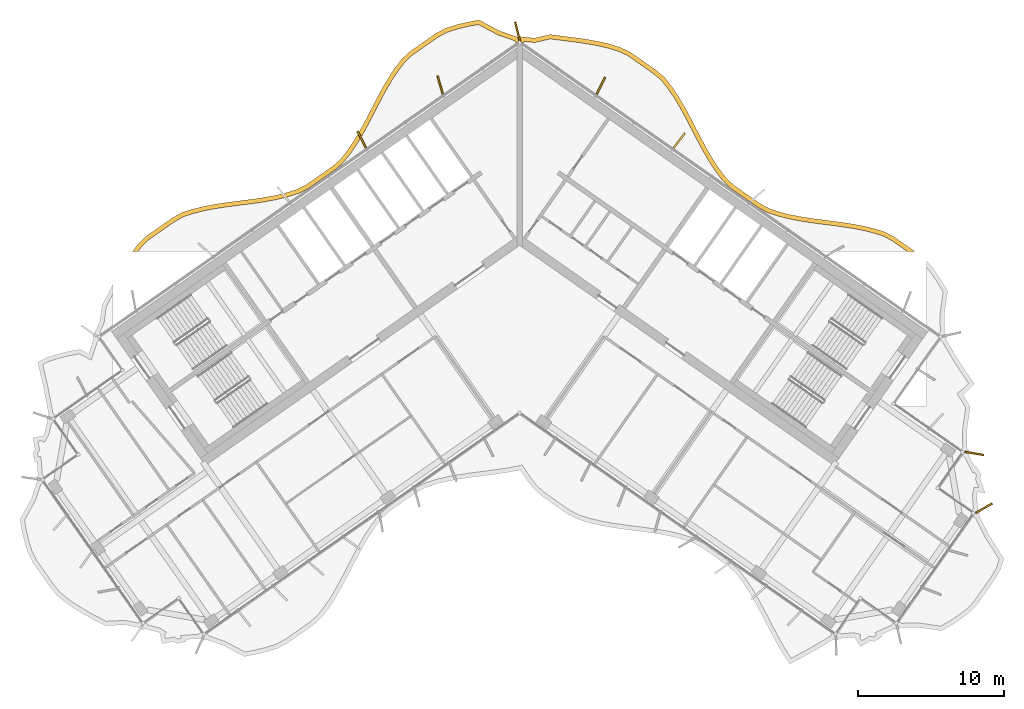
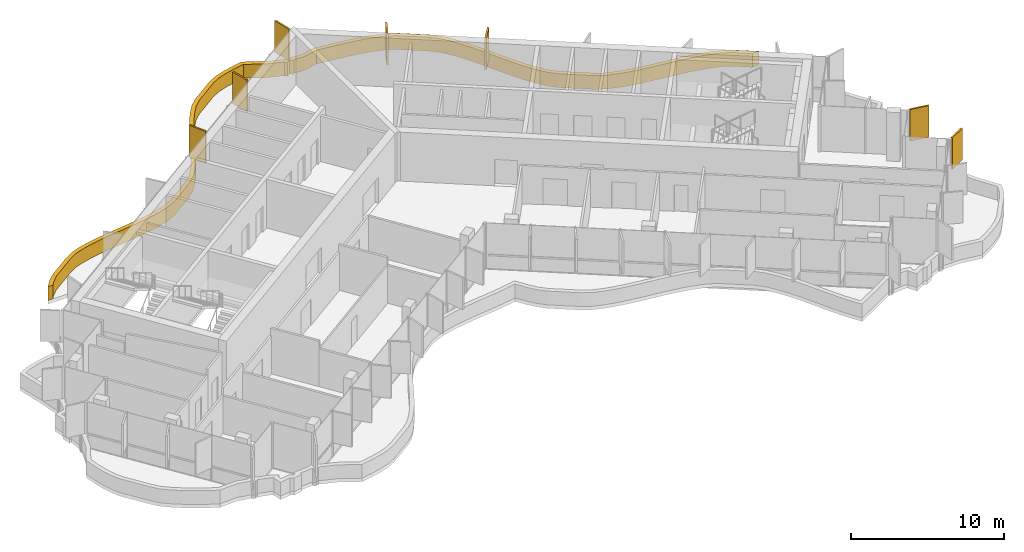
# One storey, part 18 of 18: 8 shading devices.
"""IFC4 building model written with IfcOpenShell, lengths in metres."""

from ifc_helpers import new_model, si_unit, direction, frame, origin, origin_2d, place, context, subcontext, project, spatial, polyline, rectangle, outline, extrude, material, layer, layer_set, type_object, element, save


model = new_model("IFC4")

# Units and contexts
model_context = context("Model", 3, precision=1e-05, world=origin(), true_north=direction((0.0, 1.0)))
body_context = subcontext(model_context, "Body", "Model", "MODEL_VIEW")
ifc_project = project(units=[si_unit("LENGTHUNIT", "METRE"), si_unit("AREAUNIT", "SQUARE_METRE"), si_unit("VOLUMEUNIT", "CUBIC_METRE"), si_unit("PLANEANGLEUNIT", "RADIAN"), si_unit("MASSUNIT", "GRAM", prefix="KILO")], contexts=[model_context])

# Site, building, storey
site_placement = place(None, origin())
site = spatial("IfcSite", under=ifc_project, at=site_placement, CompositionType="ELEMENT")
building_placement = place(site_placement, origin())
building = spatial("IfcBuilding", under=site, at=building_placement, Name="Tel Ilan Convention Tower", CompositionType="ELEMENT")
storey_placement = place(building_placement, frame((0.0, 0.0, 264.39990234375)))
storey = spatial("IfcBuildingStorey", under=building, at=storey_placement, Name="L62", CompositionType="ELEMENT", Elevation=264.39990234375)

# Shading devices
ifc_material_1 = material(Name="Aluminium, bronze anodised", Category="aluminium")
ifc_layer_1 = layer(ifc_material_1, 0.1201171875)
ifc_layer_set_1 = layer_set([ifc_layer_1], Name="FIN BRONZE 1300x120")
shading_device_type_1 = type_object("IfcShadingDeviceType", Name="FIN BRONZE 1300x120", PredefinedType="USERDEFINED", material=ifc_layer_set_1)
for number, where, z_axis, x_axis, name in (
    (1, (10.929931640625, 5.96044921875, 1.10009765625), (0.0, 0.0, 1.0), (0.612600545196, 0.790392669516, 0.0), "FIN"),
    (2, (5.561767578125, 9.718994140625, 1.10009765625), (0.0, 0.0, 1.0), (0.448799180206, 0.893632640321, 0.0), "FIN"),
    (3, (-0.156005859375, 13.463134765625, 1.10009765625), (0.0, 0.0, 1.0), (-0.240039791311, 0.970763049661, 0.0), "FIN"),
    (4, (-5.45068359375, 9.7734375, 1.10009765625), (0.0, 0.0, 1.0), (-0.268172612768, 0.963370878614, 0.0), "FIN"),
    (5, (-10.826904296875, 6.0322265625, 1.10009765625), (0.0, 0.0, 1.0), (-0.448799180206, 0.893632640321, 0.0), "FIN"),
    (6, (31.81982421875, -19.228271484375, 1.10009765625), (0.0, 0.0, 1.0), (0.870832754082, 0.491579408049, 0.0), "FIN"),
    (7, (31.158203125, -15.476318359375, 1.10009765625), (0.0, 0.0, 1.0), (0.986445172547, -0.16409119891, 0.0), "FIN"),
):
    element("IfcShadingDevice", number, at=place(storey_placement, frame(where, z_axis=z_axis, x_axis=x_axis)), inside=storey, type_object=shading_device_type_1, Name=name, ObjectType="FIN", PredefinedType="USERDEFINED", context=body_context, shape_type="SweptSolid", body=[
        extrude(rectangle(XDim=1.300048828125, YDim=0.1201171875, at=origin_2d()), origin(), (0.0, 0.0, 1.0), 2.52001953125),
    ])
ifc_material_2 = material(Name="Aluminium, bronze anodised", Category="aluminium")
ifc_layer_2 = layer(ifc_material_2, 0.300048828125)
ifc_layer_set_2 = layer_set([ifc_layer_2], Name="LOUVRE BAND 300x1100")
shading_device_type_2 = type_object("IfcShadingDeviceType", Name="LOUVRE BAND 300x1100", PredefinedType="USERDEFINED", material=ifc_layer_set_2)
shading_device_placement = place(storey_placement, origin())
element("IfcShadingDevice", 8, at=shading_device_placement, inside=storey, type_object=shading_device_type_2, Name="LOUVRE BAND 47.02", ObjectType="LOUVRE", PredefinedType="USERDEFINED", context=body_context, shape_type="SweptSolid", body=[
    extrude(outline(polyline([(-26.1787109375, -1.1572265625), (-26.535888671875, -1.631591796875), (-26.160400390625, -1.631591796875), (-25.951416015625, -1.35400390625), (-25.457275390625, -0.856689453125), (-23.680908203125, 0.38720703125), (-23.075439453125, 0.7314453125), (-22.38525390625, 0.962158203125), (-21.640625, 1.14990234375), (-20.86181640625, 1.298828125), (-20.0576171875, 1.420166015625), (-18.409423828125, 1.63232421875), (-17.585205078125, 1.750732421875), (-16.773193359375, 1.89599609375), (-15.982666015625, 2.081298828125), (-15.212646484375, 2.320556640625), (-14.499267578125, 2.665771484375), (-12.656005859375, 3.956298828125), (-12.066162109375, 4.474609375), (-11.566650390625, 5.110107421875), (-11.115234375, 5.78173828125), (-10.696044921875, 6.4892578125), (-10.29931640625, 7.220458984375), (-9.535400390625, 8.69873046875), (-9.148681640625, 9.41796875), (-8.746337890625, 10.106201171875), (-8.320556640625, 10.751220703125), (-7.871337890625, 11.33544921875), (-7.3623046875, 11.813720703125), (-5.585693359375, 13.0576171875), (-4.96826171875, 13.382568359375), (-4.27001953125, 13.607666015625), (-3.520751953125, 13.78955078125), (-2.834228515625, 13.914794921875), (-1.477294921875, 13.19677734375), (-0.362060546875, 12.81201171875), (-0.24609375, 12.646728515625), (0.0, 12.818115234375), (0.24609375, 12.646728515625), (0.318603515625, 12.75), (1.040771484375, 12.687744140625), (2.10400390625, 12.9296875), (3.699462890625, 12.72509765625), (4.510009765625, 12.60986328125), (5.2978515625, 12.47119140625), (6.054443359375, 12.297119140625), (6.765625, 12.080078125), (7.40185546875, 11.785888671875), (9.17822265625, 10.5419921875), (9.708740234375, 10.0908203125), (10.16162109375, 9.521240234375), (10.5927734375, 8.885498046875), (10.9990234375, 8.204833984375), (11.38818359375, 7.49072265625), (12.151123046875, 6.014404296875), (12.54443359375, 5.2802734375), (12.958740234375, 4.567138671875), (13.403076171875, 3.8876953125), (13.891357421875, 3.245849609375), (14.459716796875, 2.693359375), (16.302978515625, 1.40283203125), (16.991455078125, 1.02587890625), (17.759521484375, 0.773681640625), (18.544921875, 0.579345703125), (19.353271484375, 0.42724609375), (20.176025390625, 0.3046875), (21.826416015625, 0.092529296875), (22.634765625, -0.025146484375), (23.4189453125, -0.167724609375), (24.1708984375, -0.34716796875), (24.873291015625, -0.569580078125), (25.496826171875, -0.88427734375), (26.56396484375, -1.631591796875), (27.087158203125, -1.631591796875), (25.6513671875, -0.626220703125), (24.987060546875, -0.290771484375), (24.2509765625, -0.057861328125), (23.480712890625, 0.1259765625), (22.68310546875, 0.27099609375), (21.8671875, 0.3896484375), (20.21728515625, 0.601806640625), (19.4033203125, 0.72314453125), (18.60888671875, 0.87255859375), (17.842529296875, 1.062255859375), (17.111328125, 1.30224609375), (16.46142578125, 1.657958984375), (14.6513671875, 2.92529296875), (14.116455078125, 3.4453125), (13.648193359375, 4.060791015625), (13.214111328125, 4.724609375), (12.806396484375, 5.426513671875), (12.416748046875, 6.154052734375), (11.653076171875, 7.631591796875), (11.259521484375, 8.353515625), (10.845947265625, 9.046875), (10.403564453125, 9.69921875), (9.925537109375, 10.300537109375), (9.36181640625, 10.77978515625), (7.552001953125, 12.047119140625), (6.872802734375, 12.361083984375), (6.132080078125, 12.587158203125), (5.357666015625, 12.765380859375), (4.55712890625, 12.90625), (3.739501953125, 13.0224609375), (2.08935546875, 13.234130859375), (1.02001953125, 12.99072265625), (0.168701171875, 13.059326171875), (0.11474609375, 13.09521484375), (0.0, 13.1181640625), (-0.11474609375, 13.09521484375), (-0.168701171875, 13.059326171875), (-1.357666015625, 13.472900390625), (-2.785888671875, 14.228515625), (-3.5830078125, 14.083251953125), (-4.3515625, 13.896484375), (-5.0849609375, 13.66015625), (-5.7421875, 13.314453125), (-7.552001953125, 12.047119140625), (-8.09423828125, 11.53759765625), (-8.56494140625, 10.925537109375), (-9.001220703125, 10.264404296875), (-9.410400390625, 9.564697265625), (-9.801025390625, 8.838623046875), (-10.564453125, 7.36083984375), (-10.95703125, 6.63720703125), (-11.369140625, 5.94189453125), (-11.809326171875, 5.28662109375), (-12.284912109375, 4.681640625), (-12.841552734375, 4.192626953125), (-14.6513671875, 2.92529296875), (-15.3232421875, 2.6005859375), (-16.0615234375, 2.370849609375), (-16.833984375, 2.18994140625), (-17.6328125, 2.046875), (-18.44970703125, 1.9296875), (-20.099365234375, 1.71728515625), (-20.91259765625, 1.594482421875), (-21.705322265625, 1.44287109375), (-22.4697265625, 1.250244140625), (-23.1982421875, 1.0068359375), (-23.84130859375, 0.64111328125), (-25.6513671875, -0.626220703125), (-26.1787109375, -1.1572265625)])), origin(), (0.0, 0.0, 1.0), 1.10009765625),
])

save(model, "model.ifc")
